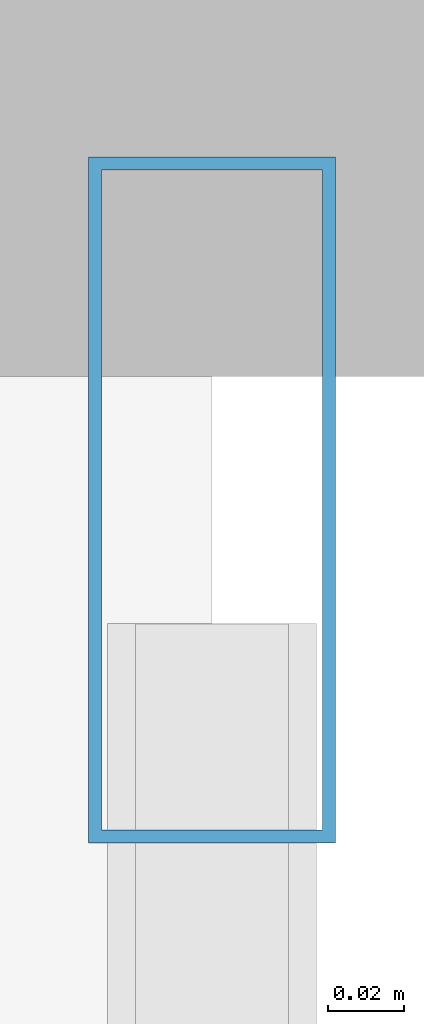
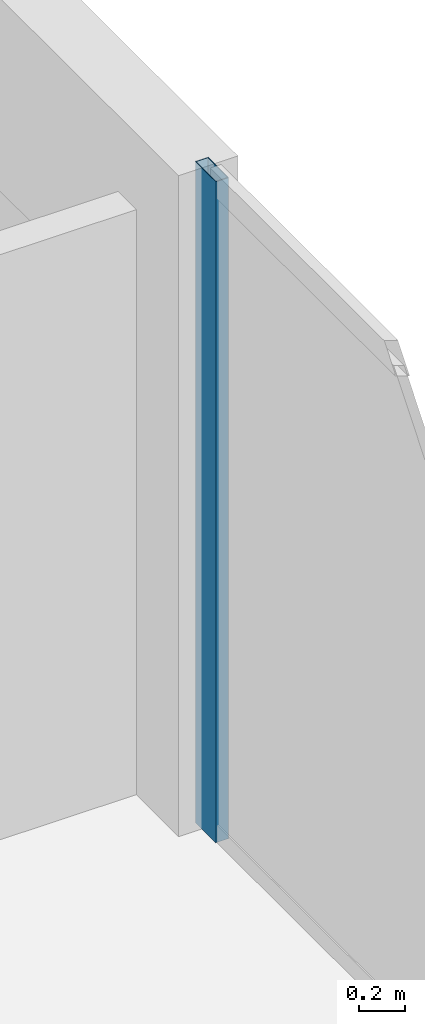
# One storey, part 21 of 33: 1 member, 1 element without a shape of its own.
"""IFC4 building model written with IfcOpenShell, lengths in metres."""

from ifc_helpers import new_model, si_unit, direction, frame, origin, origin_2d, place, context, subcontext, project, spatial, hollow_rectangle, extrude, material, layer, layer_set, material_profile, profile_set, type_object, element, aggregate, save


model = new_model("IFC4")

# Units and contexts
model_context = context("Model", 3, precision=1e-05, world=origin(), true_north=direction((0.0, 1.0)))
body_context = subcontext(model_context, "Body", "Model", "MODEL_VIEW")
ifc_project = project(units=[si_unit("LENGTHUNIT", "METRE"), si_unit("AREAUNIT", "SQUARE_METRE"), si_unit("VOLUMEUNIT", "CUBIC_METRE"), si_unit("PLANEANGLEUNIT", "RADIAN"), si_unit("MASSUNIT", "GRAM", prefix="KILO")], contexts=[model_context])

# Site, building, storey
site_placement = place(None, origin())
site = spatial("IfcSite", under=ifc_project, at=site_placement, CompositionType="ELEMENT")
building_placement = place(site_placement, origin())
building = spatial("IfcBuilding", under=site, at=building_placement, Name="Zuhayl Quay Hotel", CompositionType="ELEMENT")
storey_placement = place(building_placement, frame((0.0, 0.0, 207.39990234375)))
storey = spatial("IfcBuildingStorey", under=building, at=storey_placement, Name="L52", CompositionType="ELEMENT", Elevation=207.39990234375)

# Curtain wall, member
ifc_material_1 = material(Name="Anodised Aluminium 6063-T6", Category="aluminium")
ifc_layer = layer(ifc_material_1, 0.175048828125, Name="Anodised Aluminium 6063-T6", Category="aluminium")
ifc_layer_set = layer_set([ifc_layer], Name="Anodised Aluminium 6063-T6")
curtain_wall_type = type_object("IfcCurtainWallType", Name="CW_SYS_Z3", PredefinedType="USERDEFINED", material=ifc_layer_set)
curtain_wall_placement = place(storey_placement, origin())
curtain_wall = element("IfcCurtainWall", 1, at=curtain_wall_placement, inside=storey, type_object=curtain_wall_type, Name="L52 Curtain Wall ENV_L52_E11_CW1", ObjectType="UNITISED CURTAIN WALL", PredefinedType="USERDEFINED")
ifc_material_2 = material(Name="Black-anodised aluminium 6063-T6", Category="aluminium")
ifc_material_profile = material_profile(ifc_material_2, hollow_rectangle(XDim=0.06494140625, YDim=0.179931640625, WallThickness=0.00341796875, at=origin_2d()), Name="ALU180X65")
ifc_profile_set = profile_set([ifc_material_profile], Name="Black-anodised aluminium 6063-T6")
member_type = type_object("IfcMemberType", Name="MB_CW_MUL_180", PredefinedType="MULLION", material=ifc_profile_set)
member_placement = place(storey_placement, frame((22.10009765625, 24.517578125, 0.0), z_axis=(0.0, 0.0, 1.0), x_axis=(1.0, 0.0, 0.0)))
member = element("IfcMember", 2, at=member_placement, type_object=member_type, Name="CW-Z3 mullion 1", PredefinedType="MULLION", context=body_context, shape_type="SweptSolid", body=[
    extrude(hollow_rectangle(XDim=0.06494140625, YDim=0.179931640625, WallThickness=0.00341796875, at=origin_2d()), origin(), (0.0, 0.0, 1.0), 3.530029296875),
])
aggregate(curtain_wall, [member])

save(model, "model.ifc")
